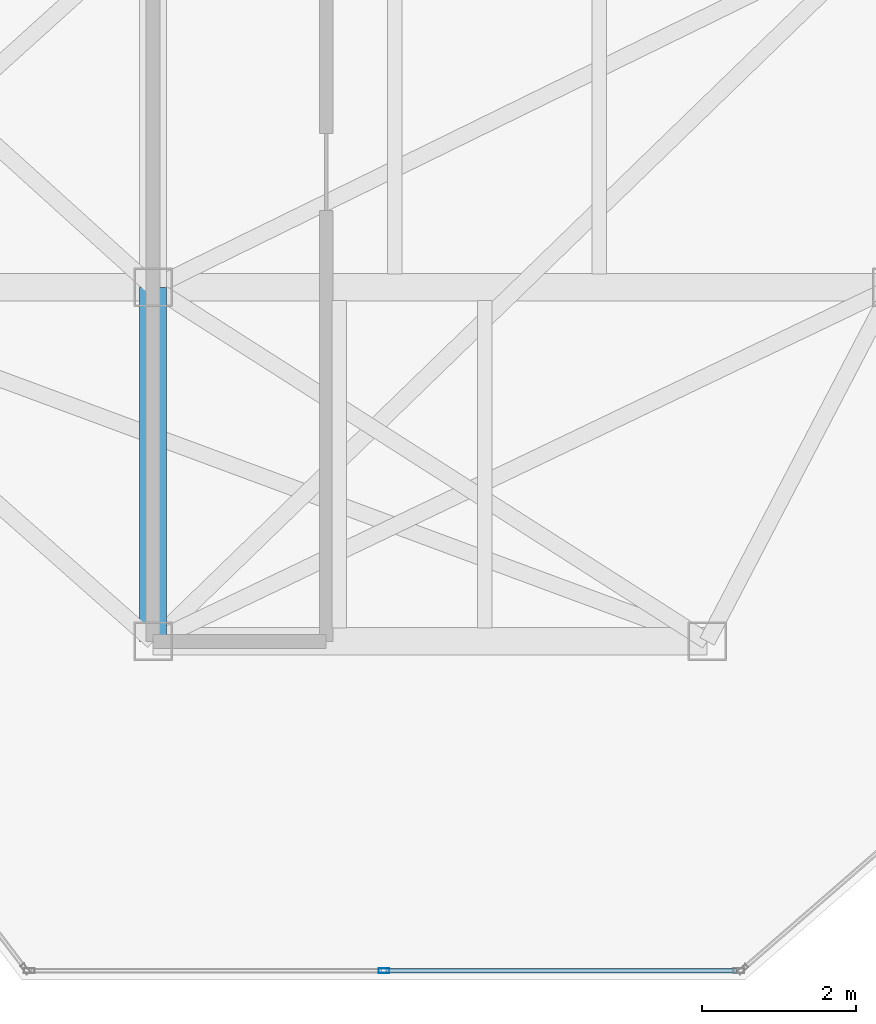
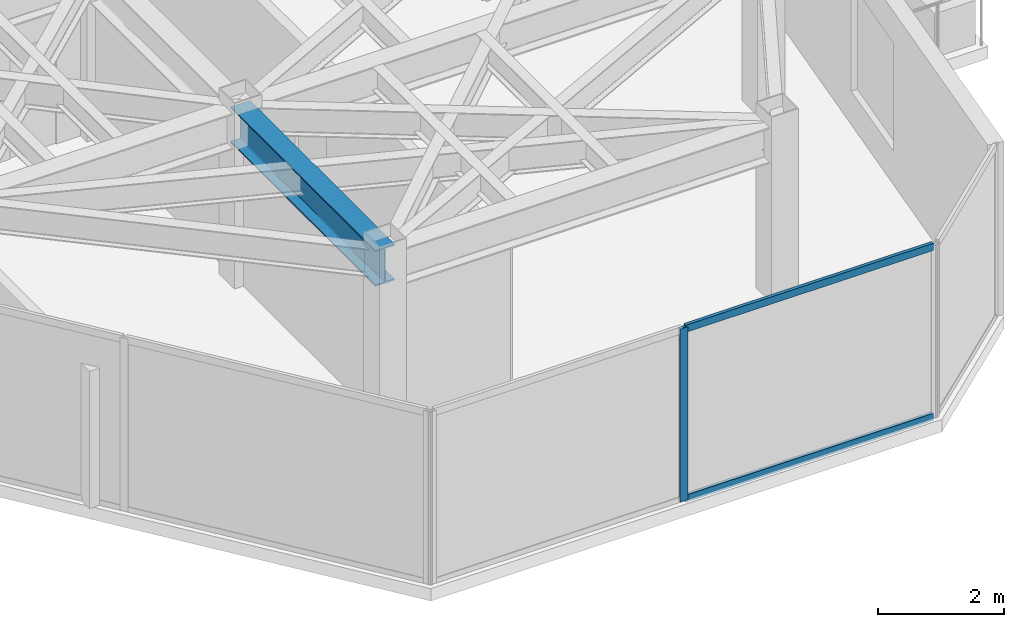
# One storey, part 9 of 17: 3 members, 1 beam, 1 element without a shape of its own.
"""IFC4 building model written with IfcOpenShell, lengths in metres."""

from ifc_helpers import new_model, si_unit, direction, frame, origin, origin_2d, place, context, subcontext, project, spatial, hollow_rectangle, i_section, extrude, material, layer, layer_set, material_profile, profile_set, type_object, element, aggregate, save


model = new_model("IFC4")

# Units and contexts
model_context = context("Model", 3, precision=1e-05, world=origin(), true_north=direction((0.0, 1.0)))
body_context = subcontext(model_context, "Body", "Model", "MODEL_VIEW")
ifc_project = project(units=[si_unit("LENGTHUNIT", "METRE"), si_unit("AREAUNIT", "SQUARE_METRE"), si_unit("VOLUMEUNIT", "CUBIC_METRE"), si_unit("PLANEANGLEUNIT", "RADIAN"), si_unit("MASSUNIT", "GRAM", prefix="KILO")], contexts=[model_context])

# Site, building, storey
site_placement = place(None, origin())
site = spatial("IfcSite", under=ifc_project, at=site_placement, CompositionType="ELEMENT")
building_placement = place(site_placement, origin())
building = spatial("IfcBuilding", under=site, at=building_placement, Name="Kravanh Interchange Tower", CompositionType="ELEMENT")
storey_placement = place(building_placement, frame((0.0, 0.0, 249.0)))
storey = spatial("IfcBuildingStorey", under=building, at=storey_placement, Name="L60", CompositionType="ELEMENT", Elevation=249.0)

# Curtain wall, members
ifc_material_1 = material(Name="Anodised Bronze Aluminium", Category="aluminium")
ifc_layer = layer(ifc_material_1, 0.179931640625)
ifc_layer_set = layer_set([ifc_layer], Name="Unitised Curtain Wall System CW-HTL Luxury Hotel")
curtain_wall_type = type_object("IfcCurtainWallType", Name="Unitised Curtain Wall System CW-HTL Luxury Hotel", PredefinedType="NOTDEFINED", material=ifc_layer_set)
curtain_wall_placement = place(storey_placement, origin())
curtain_wall = element("IfcCurtainWall", 1, at=curtain_wall_placement, inside=storey, type_object=curtain_wall_type, Name="L60 Unitised Curtain Wall CW-L60-02", PredefinedType="NOTDEFINED")
ifc_material_2 = material(Name="Anodised Bronze Aluminium", Category="aluminium")
ifc_material_profile_1 = material_profile(ifc_material_2, hollow_rectangle(XDim=0.06005859375, YDim=0.139892578125, WallThickness=0.00390625, at=origin_2d()), Name="ALU60X140X4")
ifc_profile_set_1 = profile_set([ifc_material_profile_1], Name="Anodised Bronze Aluminium")
member_type_1 = type_object("IfcMemberType", Name="Curtain Wall Mullion ALU60X140X4 Bronze", PredefinedType="MULLION", material=ifc_profile_set_1)
member_1_placement = place(storey_placement, frame((59.0, 17.919921875, 0.0), z_axis=(0.0, 0.0, 1.0), x_axis=(0.0, -1.0, 0.0)))
member_1 = element("IfcMember", 2, at=member_1_placement, type_object=member_type_1, Name="CW-HTL mullion 2", PredefinedType="MULLION", context=body_context, shape_type="SweptSolid", body=[
    extrude(hollow_rectangle(XDim=0.06005859375, YDim=0.139892578125, WallThickness=0.00390625, at=origin_2d()), origin(), (0.0, 0.0, 1.0), 3.360107421875),
])
ifc_material_3 = material(Name="Anodised Bronze Aluminium", Category="aluminium")
ifc_material_profile_2 = material_profile(ifc_material_3, hollow_rectangle(XDim=0.06005859375, YDim=0.139892578125, WallThickness=0.00390625, at=origin_2d()), Name="ALU60X140X4")
ifc_profile_set_2 = profile_set([ifc_material_profile_2], Name="Anodised Bronze Aluminium")
member_type_2 = type_object("IfcMemberType", Name="Curtain Wall Transom ALU60X140X4 Bronze", PredefinedType="USERDEFINED", material=ifc_profile_set_2)
member_2_placement = place(storey_placement, frame((63.58056640625, 17.919921875, 0.030029296875), z_axis=(-1.0, 0.0, 0.0), x_axis=(0.0, -1.0, 0.0)))
member_2 = element("IfcMember", 3, at=member_2_placement, type_object=member_type_2, Name="CW-HTL transom 1.1", ObjectType="TRANSOM", PredefinedType="USERDEFINED", context=body_context, shape_type="SweptSolid", body=[
    extrude(hollow_rectangle(XDim=0.06005859375, YDim=0.139892578125, WallThickness=0.00390625, at=origin_2d()), origin(), (0.0, 0.0, 1.0), 4.550537109375),
])
member_3_placement = place(storey_placement, frame((63.58056640625, 17.919921875, 3.330078125), z_axis=(-1.0, 0.0, 0.0), x_axis=(0.0, -1.0, 0.0)))
member_3 = element("IfcMember", 4, at=member_3_placement, type_object=member_type_2, Name="CW-HTL transom 1.2", ObjectType="TRANSOM", PredefinedType="USERDEFINED", context=body_context, shape_type="SweptSolid", body=[
    extrude(hollow_rectangle(XDim=0.06005859375, YDim=0.139892578125, WallThickness=0.00390625, at=origin_2d()), origin(), (0.0, 0.0, 1.0), 4.550537109375),
])
aggregate(curtain_wall, [member_1, member_2, member_3])

# Beam
ifc_material_4 = material(Name="Structural Steel S355", Category="steel")
ifc_material_profile_3 = material_profile(ifc_material_4, i_section(OverallWidth=0.35498046875, OverallDepth=0.696044921875, WebThickness=0.015380859375, FlangeThickness=0.02490234375, FilletRadius=0.02392578125, at=origin_2d()), Name="W27X146")
ifc_profile_set_3 = profile_set([ifc_material_profile_3], Name="Structural Steel S355")
beam_type = type_object("IfcBeamType", Name="Floor Beam W27X146 Structural Steel S355", PredefinedType="BEAM", material=ifc_profile_set_3)
beam_placement = place(storey_placement, frame((56.0, 26.800048828125, 3.011962890625), z_axis=(0.0, -1.0, 0.0), x_axis=(1.0, 0.0, 0.0)))
element("IfcBeam", 5, at=beam_placement, inside=storey, type_object=beam_type, Name="L60 Primary Floor Girder 34", PredefinedType="BEAM", context=body_context, shape_type="SweptSolid", body=[
    extrude(i_section(OverallWidth=0.35498046875, OverallDepth=0.696044921875, WebThickness=0.015380859375, FlangeThickness=0.02490234375, FilletRadius=0.02392578125, at=origin_2d()), origin(), (0.0, 0.0, 1.0), 4.60009765625),
])

save(model, "model.ifc")
